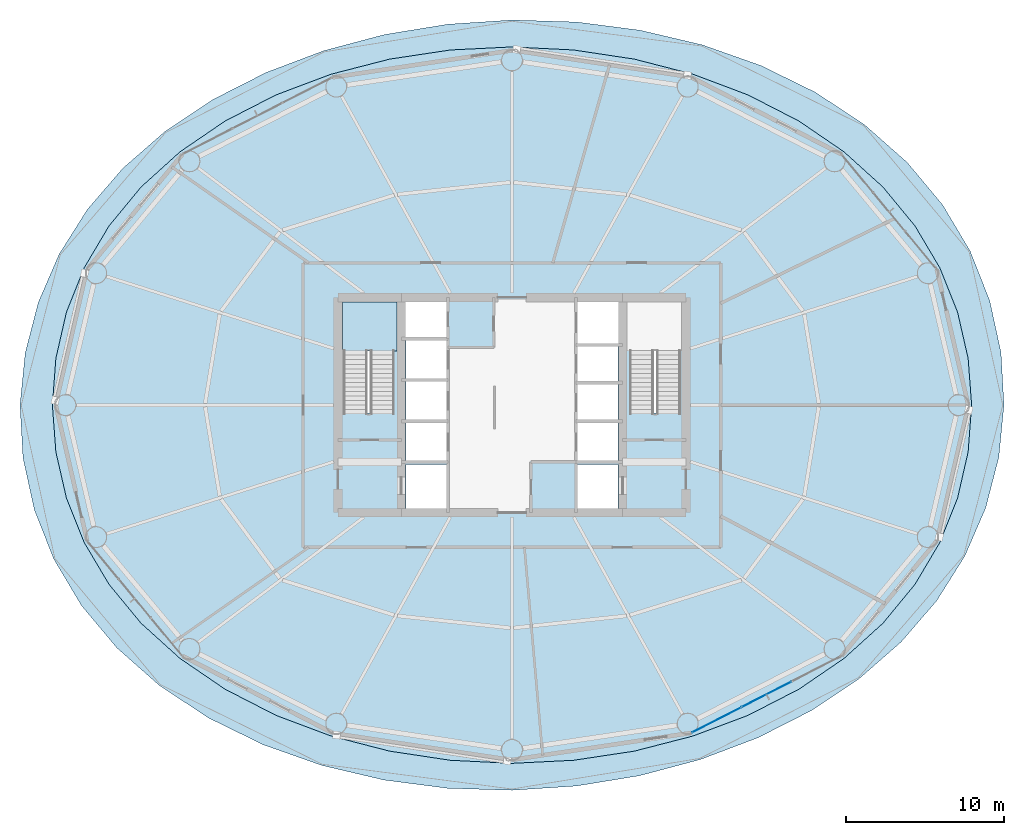
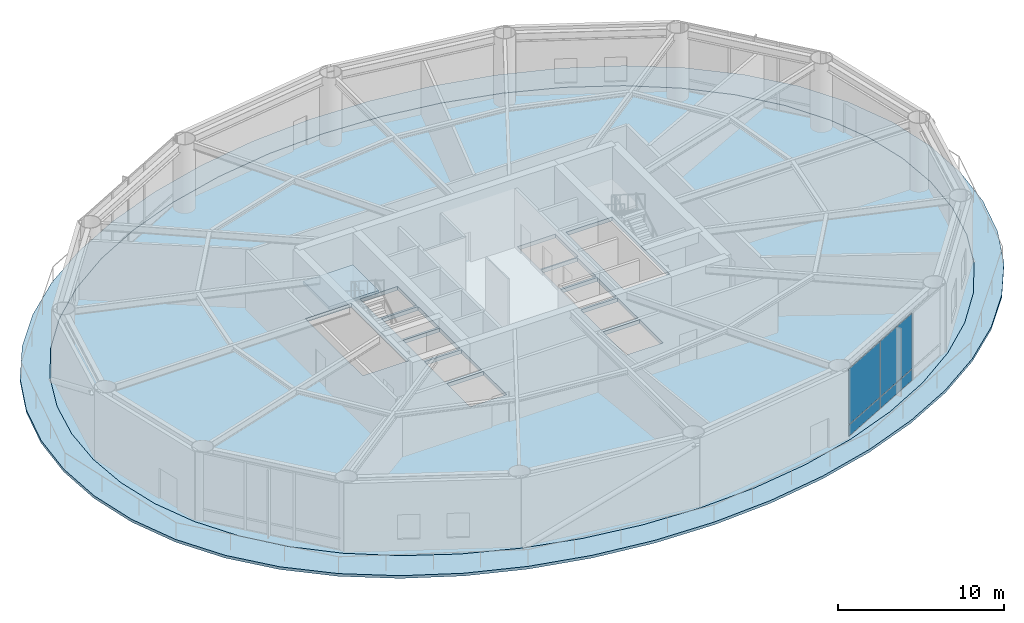
# One storey, part 18 of 25: 4 plates, 3 slabs, 2 elements without a shape of their own.
"""IFC4 building model written with IfcOpenShell, lengths in metres."""

from ifc_helpers import new_model, si_unit, direction, frame, origin, origin_2d, place, context, subcontext, project, spatial, polyline, rectangle, outline, extrude, material, layer, layer_set, type_object, element, aggregate, save


model = new_model("IFC4")

# Units and contexts
model_context = context("Model", 3, precision=1e-05, world=origin(), true_north=direction((0.0, 1.0)))
body_context = subcontext(model_context, "Body", "Model", "MODEL_VIEW")
ifc_project = project(units=[si_unit("LENGTHUNIT", "METRE"), si_unit("AREAUNIT", "SQUARE_METRE"), si_unit("VOLUMEUNIT", "CUBIC_METRE"), si_unit("PLANEANGLEUNIT", "RADIAN"), si_unit("MASSUNIT", "GRAM", prefix="KILO")], contexts=[model_context])

# Site, building, storey
site_placement = place(None, origin())
site = spatial("IfcSite", under=ifc_project, at=site_placement, CompositionType="ELEMENT")
building_placement = place(site_placement, origin())
building = spatial("IfcBuilding", under=site, at=building_placement, Name="Sarneth Arch Tower", CompositionType="ELEMENT")
storey_placement = place(building_placement, frame((0.0, 0.0, 134.39990234375)))
storey = spatial("IfcBuildingStorey", under=building, at=storey_placement, Name="L34", CompositionType="ELEMENT", Elevation=134.39990234375)

# Curtain wall, plates
ifc_material_1 = material(Name="Anodised aluminium Type AA25 and solar-control low-e laminated IGU", Category="aluminium")
ifc_layer_1 = layer(ifc_material_1, 0.159912109375)
ifc_layer_set_1 = layer_set([ifc_layer_1], Name="Anodised aluminium Type AA25 and solar-control low-e laminated IGU")
curtain_wall_type = type_object("IfcCurtainWallType", Name="CW-HOTEL-MID", PredefinedType="NOTDEFINED", material=ifc_layer_set_1)
curtain_wall_placement = place(storey_placement, origin())
curtain_wall = element("IfcCurtainWall", 1, at=curtain_wall_placement, inside=storey, type_object=curtain_wall_type, Name="L34 Unitised curtain wall facet 14", PredefinedType="NOTDEFINED")
ifc_material_2 = material(Name="Solar-control low-e laminated IGU", Category="glass")
ifc_layer_2 = layer(ifc_material_2, 0.028076171875)
ifc_layer_set_2 = layer_set([ifc_layer_2], Name="Solar-control low-e laminated IGU")
plate_type = type_object("IfcPlateType", Name="CW-PANEL", PredefinedType="CURTAIN_PANEL", material=ifc_layer_set_2)
plate_1_placement = place(storey_placement, frame((60.946044921875, 22.094482421875, 0.06005859375), z_axis=(0.0, 0.0, 1.0), x_axis=(0.889963703649, 0.456031365356, 0.0)))
plate_1 = element("IfcPlate", 2, at=plate_1_placement, type_object=plate_type, Name="Curtain wall glazed vision pane CW-L34-F14/P00-00", PredefinedType="CURTAIN_PANEL", context=body_context, shape_type="SweptSolid", body=[
    extrude(rectangle(XDim=3.464111328125, YDim=0.028076171875, at=origin_2d()), origin(), (0.0, 0.0, 1.0), 0.81005859375),
])
plate_2_placement = place(storey_placement, frame((60.946044921875, 22.094482421875, 0.93017578125), z_axis=(0.0, 0.0, 1.0), x_axis=(0.889963703649, 0.456031365356, 0.0)))
plate_2 = element("IfcPlate", 3, at=plate_2_placement, type_object=plate_type, Name="Curtain wall glazed vision pane CW-L34-F14/P00-01", PredefinedType="CURTAIN_PANEL", context=body_context, shape_type="SweptSolid", body=[
    extrude(rectangle(XDim=3.464111328125, YDim=0.028076171875, at=origin_2d()), origin(), (0.0, 0.0, 1.0), 4.06005859375),
])
plate_3_placement = place(storey_placement, frame((64.095703125, 23.70849609375, 0.06005859375), z_axis=(0.0, 0.0, 1.0), x_axis=(0.889963703649, 0.456031365356, 0.0)))
plate_3 = element("IfcPlate", 4, at=plate_3_placement, type_object=plate_type, Name="Curtain wall glazed vision pane CW-L34-F14/P01-00", PredefinedType="CURTAIN_PANEL", context=body_context, shape_type="SweptSolid", body=[
    extrude(rectangle(XDim=3.493896484375, YDim=0.028076171875, at=origin_2d()), origin(), (0.0, 0.0, 1.0), 0.81005859375),
])
plate_4_placement = place(storey_placement, frame((64.095703125, 23.70849609375, 0.93017578125), z_axis=(0.0, 0.0, 1.0), x_axis=(0.889963703649, 0.456031365356, 0.0)))
plate_4 = element("IfcPlate", 5, at=plate_4_placement, type_object=plate_type, Name="Curtain wall glazed vision pane CW-L34-F14/P01-01", PredefinedType="CURTAIN_PANEL", context=body_context, shape_type="SweptSolid", body=[
    extrude(rectangle(XDim=3.493896484375, YDim=0.028076171875, at=origin_2d()), origin(), (0.0, 0.0, 1.0), 4.06005859375),
])
aggregate(curtain_wall, [plate_1, plate_2, plate_3, plate_4])

# Slab
ifc_material_3 = material(Name="Concrete C50/60", Category="concrete")
ifc_layer_3 = layer(ifc_material_3, 0.199951171875)
ifc_layer_set_3 = layer_set([ifc_layer_3], Name="Concrete C50/60")
slab_type_1 = type_object("IfcSlabType", Name="SLAB-BALC-200", PredefinedType="FLOOR", material=ifc_layer_set_3)
slab_1_placement = place(storey_placement, frame((0.0, 0.0, -0.199951171875)))
element("IfcSlab", 6, at=slab_1_placement, inside=storey, type_object=slab_type_1, Name="L34 Helical balcony band slab", PredefinedType="FLOOR", context=body_context, shape_type="SweptSolid", body=[
    extrude(outline(polyline([(79.110107421875, 42.0), (78.921875, 45.327880859375), (78.209716796875, 48.59912109375), (76.97412109375, 51.736083984375), (75.2255859375, 54.671875), (72.985107421875, 57.3525390625), (70.287353515625, 59.734619140625), (67.1826171875, 61.783935546875), (63.735107421875, 63.4736328125), (60.018310546875, 64.78466796875), (56.1083984375, 65.70458984375), (52.079345703125, 66.2275390625), (48.0, 66.352783203125), (43.934814453125, 66.08544921875), (39.946533203125, 65.4345703125), (36.098388671875, 64.412841796875), (32.455810546875, 63.0361328125), (29.084228515625, 61.322998046875), (26.0439453125, 59.294189453125), (23.386962890625, 56.971435546875), (21.15185546875, 54.379638671875), (19.3662109375, 51.5458984375), (18.04931640625, 48.505126953125), (17.218505859375, 45.302734375), (16.889892578125, 42.0), (17.078125, 38.672119140625), (17.790283203125, 35.40087890625), (19.02587890625, 32.263916015625), (20.7744140625, 29.328125), (23.014892578125, 26.6474609375), (25.712646484375, 24.265380859375), (28.8173828125, 22.216064453125), (32.264892578125, 20.5263671875), (35.981689453125, 19.21533203125), (39.8916015625, 18.29541015625), (43.920654296875, 17.7724609375), (48.0, 17.647216796875), (52.065185546875, 17.91455078125), (56.053466796875, 18.5654296875), (59.901611328125, 19.587158203125), (63.544189453125, 20.9638671875), (66.915771484375, 22.677001953125), (69.9560546875, 24.705810546875), (72.613037109375, 27.028564453125), (74.84814453125, 29.620361328125), (76.6337890625, 32.4541015625), (77.95068359375, 35.494873046875), (78.781494140625, 38.697265625), (79.110107421875, 42.0)]), holes=[polyline([(77.062744140625, 42.0), (76.84228515625, 44.956298828125), (76.17724609375, 47.8623046875), (75.060546875, 50.667724609375), (73.486328125, 53.324951171875), (71.458251953125, 55.788330078125), (68.994384765625, 58.015869140625), (66.132080078125, 59.969482421875), (62.923828125, 61.615478515625), (59.435302734375, 62.92578125), (55.73779296875, 63.878173828125), (51.902587890625, 64.456298828125), (48.0, 64.64990234375), (44.097412109375, 64.456298828125), (40.26220703125, 63.878173828125), (36.564697265625, 62.92578125), (33.076171875, 61.615478515625), (29.867919921875, 59.969482421875), (27.005615234375, 58.015869140625), (24.541748046875, 55.788330078125), (22.513671875, 53.324951171875), (20.939453125, 50.667724609375), (19.82275390625, 47.8623046875), (19.15771484375, 44.956298828125), (18.937255859375, 42.0), (19.15771484375, 39.043701171875), (19.82275390625, 36.1376953125), (20.939453125, 33.332275390625), (22.513671875, 30.675048828125), (24.541748046875, 28.211669921875), (27.005615234375, 25.984130859375), (29.867919921875, 24.030517578125), (33.076171875, 22.384521484375), (36.564697265625, 21.07421875), (40.26220703125, 20.121826171875), (44.097412109375, 19.543701171875), (48.0, 19.35009765625), (51.902587890625, 19.543701171875), (55.73779296875, 20.121826171875), (59.435302734375, 21.07421875), (62.923828125, 22.384521484375), (66.132080078125, 24.030517578125), (68.994384765625, 25.984130859375), (71.458251953125, 28.211669921875), (73.486328125, 30.675048828125), (75.060546875, 33.332275390625), (76.17724609375, 36.1376953125), (76.84228515625, 39.043701171875), (77.062744140625, 42.0)])]), origin(), (0.0, 0.0, 1.0), 0.199951171875),
])

# Stair, slab
ifc_material_4 = material(Name="Concrete C50/60", Category="concrete")
stair_type = type_object("IfcStairType", Name="STAIR-CORE-RC", PredefinedType="HALF_TURN_STAIR", material=ifc_material_4)
stair_placement = place(storey_placement, origin())
stair = element("IfcStair", 7, at=stair_placement, inside=storey, type_object=stair_type, Name="L34 Core Exit Stair 1", PredefinedType="HALF_TURN_STAIR")
ifc_material_5 = material(Name="Concrete C50/60", Category="concrete")
ifc_layer_4 = layer(ifc_material_5, 0.199951171875)
ifc_layer_set_4 = layer_set([ifc_layer_4], Name="Concrete C50/60")
slab_type_2 = type_object("IfcSlabType", Name="SLAB-LANDING-200", PredefinedType="LANDING", material=ifc_layer_set_4)
slab_2_placement = place(storey_placement, frame((0.0, 0.0, 2.5)))
slab_2 = element("IfcSlab", 8, at=slab_2_placement, type_object=slab_type_2, Name="ST-1 landing 1", PredefinedType="LANDING", context=body_context, shape_type="SweptSolid", body=[
    extrude(outline(polyline([(37.27490234375, 45.409912109375), (40.72509765625, 45.409912109375), (40.72509765625, 48.52490234375), (37.27490234375, 48.52490234375), (37.27490234375, 45.409912109375)])), origin(), (0.0, 0.0, 1.0), 0.2001953125),
])
aggregate(stair, [slab_2])

# Slab
ifc_material_6 = material(Name="Concrete C50/60", Category="concrete")
ifc_layer_5 = layer(ifc_material_6, 0.280029296875)
ifc_layer_set_5 = layer_set([ifc_layer_5], Name="Concrete C50/60")
slab_type_3 = type_object("IfcSlabType", Name="SLAB-PODIUM-280", PredefinedType="FLOOR", material=ifc_layer_set_5)
slab_3_placement = place(storey_placement, frame((0.0, 0.0, -0.27978515625)))
element("IfcSlab", 9, at=slab_3_placement, inside=storey, type_object=slab_type_3, Name="L34 Elliptical floor slab", PredefinedType="FLOOR", context=body_context, shape_type="SweptSolid", body=[
    extrude(outline(polyline([(77.062744140625, 42.0), (76.84228515625, 44.956298828125), (76.17724609375, 47.8623046875), (75.060546875, 50.667724609375), (73.486328125, 53.324951171875), (71.458251953125, 55.788330078125), (68.994384765625, 58.015869140625), (66.132080078125, 59.969482421875), (62.923828125, 61.615478515625), (59.435302734375, 62.92578125), (55.73779296875, 63.878173828125), (51.902587890625, 64.456298828125), (48.0, 64.64990234375), (44.097412109375, 64.456298828125), (40.26220703125, 63.878173828125), (36.564697265625, 62.92578125), (33.076171875, 61.615478515625), (29.867919921875, 59.969482421875), (27.005615234375, 58.015869140625), (24.541748046875, 55.788330078125), (22.513671875, 53.324951171875), (20.939453125, 50.667724609375), (19.82275390625, 47.8623046875), (19.15771484375, 44.956298828125), (18.937255859375, 42.0), (19.15771484375, 39.043701171875), (19.82275390625, 36.1376953125), (20.939453125, 33.332275390625), (22.513671875, 30.675048828125), (24.541748046875, 28.211669921875), (27.005615234375, 25.984130859375), (29.867919921875, 24.030517578125), (33.076171875, 22.384521484375), (36.564697265625, 21.07421875), (40.26220703125, 20.121826171875), (44.097412109375, 19.543701171875), (48.0, 19.35009765625), (51.902587890625, 19.543701171875), (55.73779296875, 20.121826171875), (59.435302734375, 21.07421875), (62.923828125, 22.384521484375), (66.132080078125, 24.030517578125), (68.994384765625, 25.984130859375), (71.458251953125, 28.211669921875), (73.486328125, 30.675048828125), (75.060546875, 33.332275390625), (76.17724609375, 36.1376953125), (76.84228515625, 39.043701171875), (77.062744140625, 42.0)]), holes=[polyline([(37.35009765625, 41.489990234375), (40.550048828125, 41.489990234375), (40.550048828125, 48.39990234375), (37.35009765625, 48.39990234375), (37.35009765625, 41.489990234375)]), polyline([(55.449951171875, 41.489990234375), (58.64990234375, 41.489990234375), (58.64990234375, 48.39990234375), (55.449951171875, 48.39990234375), (55.449951171875, 41.489990234375)]), polyline([(41.199951171875, 46.25), (43.85009765625, 46.25), (43.85009765625, 48.550048828125), (41.199951171875, 48.550048828125), (41.199951171875, 46.25)]), polyline([(41.300048828125, 35.449951171875), (43.85009765625, 35.449951171875), (43.85009765625, 38.25), (41.300048828125, 38.25), (41.300048828125, 35.449951171875)]), polyline([(52.14990234375, 35.449951171875), (54.699951171875, 35.449951171875), (54.699951171875, 38.25), (52.14990234375, 38.25), (52.14990234375, 35.449951171875)]), polyline([(52.14990234375, 45.85009765625), (54.800048828125, 45.85009765625), (54.800048828125, 48.550048828125), (52.14990234375, 48.550048828125), (52.14990234375, 45.85009765625)]), polyline([(41.300048828125, 38.449951171875), (43.85009765625, 38.449951171875), (43.85009765625, 40.89990234375), (41.300048828125, 40.89990234375), (41.300048828125, 38.449951171875)]), polyline([(41.300048828125, 41.050048828125), (43.85009765625, 41.050048828125), (43.85009765625, 43.5), (41.300048828125, 43.5), (41.300048828125, 41.050048828125)]), polyline([(41.300048828125, 43.64990234375), (43.85009765625, 43.64990234375), (43.85009765625, 46.10009765625), (41.300048828125, 46.10009765625), (41.300048828125, 43.64990234375)]), polyline([(52.14990234375, 38.449951171875), (54.699951171875, 38.449951171875), (54.699951171875, 40.89990234375), (52.14990234375, 40.89990234375), (52.14990234375, 38.449951171875)]), polyline([(52.14990234375, 41.050048828125), (54.699951171875, 41.050048828125), (54.699951171875, 43.35009765625), (52.14990234375, 43.35009765625), (52.14990234375, 41.050048828125)]), polyline([(52.14990234375, 43.5), (54.699951171875, 43.5), (54.699951171875, 45.75), (52.14990234375, 45.75), (52.14990234375, 43.5)])]), origin(), (0.0, 0.0, 1.0), 0.27978515625),
])

save(model, "model.ifc")
